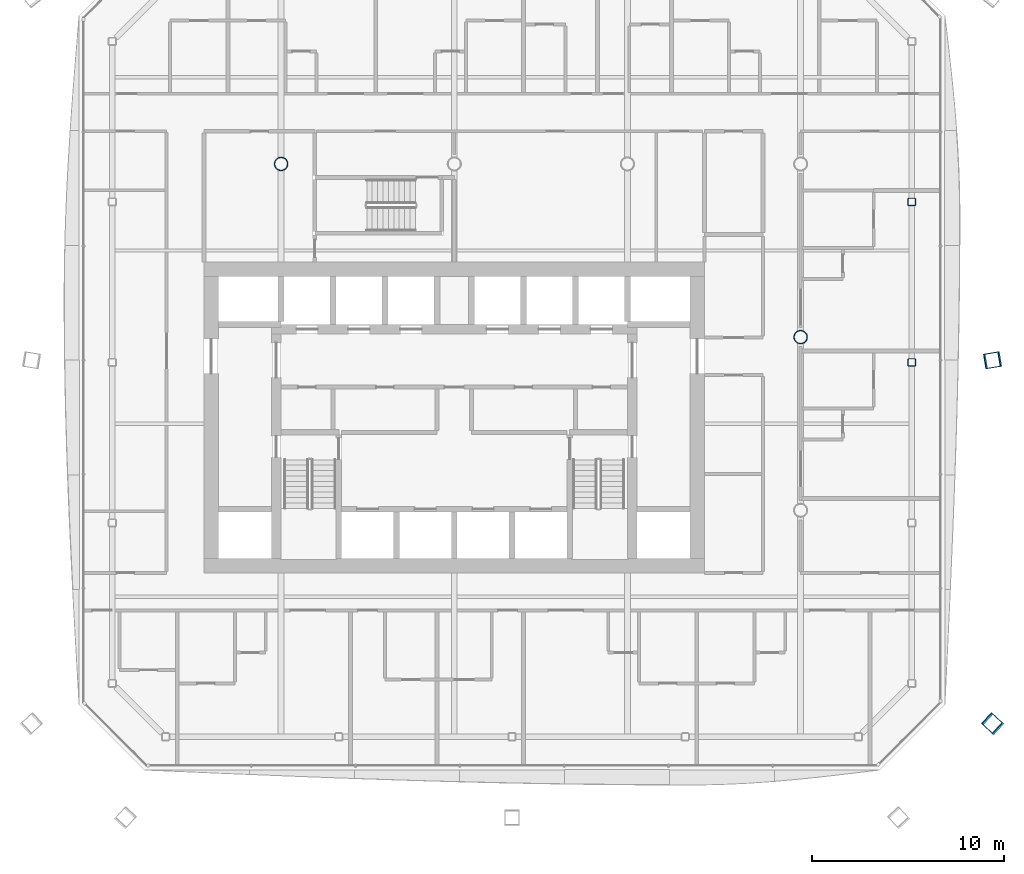
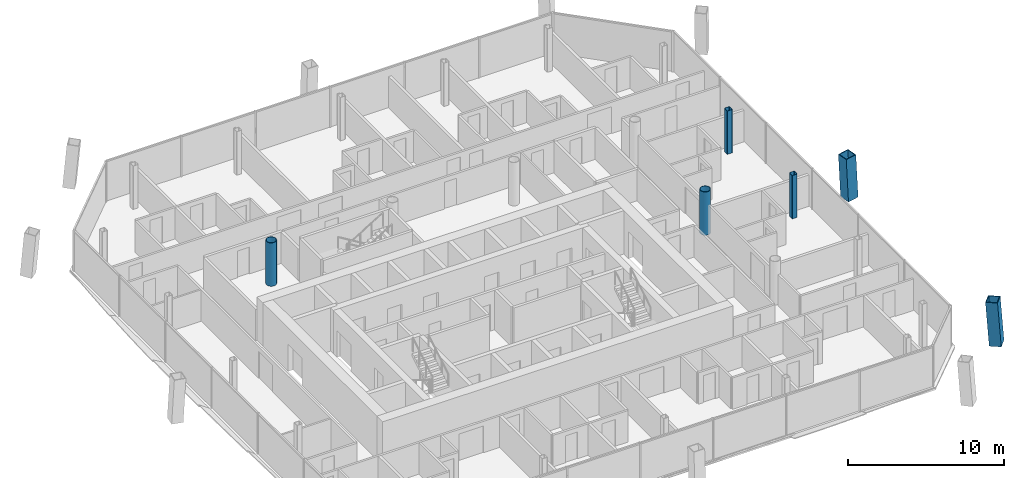
# One storey, part 2 of 21: 6 columns.
"""IFC4 building model written with IfcOpenShell, lengths in metres."""

from ifc_helpers import new_model, si_unit, direction, frame, origin, origin_2d, place, context, subcontext, project, spatial, hollow_rectangle, hollow_circle, extrude, material, material_profile, profile_set, type_object, element, save


model = new_model("IFC4")

# Units and contexts
model_context = context("Model", 3, precision=1e-05, world=origin(), true_north=direction((0.0, 1.0)))
body_context = subcontext(model_context, "Body", "Model", "MODEL_VIEW")
ifc_project = project(units=[si_unit("LENGTHUNIT", "METRE"), si_unit("AREAUNIT", "SQUARE_METRE"), si_unit("VOLUMEUNIT", "CUBIC_METRE"), si_unit("PLANEANGLEUNIT", "RADIAN"), si_unit("MASSUNIT", "GRAM", prefix="KILO")], contexts=[model_context])

# Site, building, storey
site_placement = place(None, origin())
site = spatial("IfcSite", under=ifc_project, at=site_placement, CompositionType="ELEMENT")
building_placement = place(site_placement, origin())
building = spatial("IfcBuilding", under=site, at=building_placement, Name="Tskaro Facet Tower", CompositionType="ELEMENT")
storey_placement = place(building_placement, frame((0.0, 0.0, 148.699951171875)))
storey = spatial("IfcBuildingStorey", under=building, at=storey_placement, Name="L36", CompositionType="ELEMENT", Elevation=148.699951171875)

# Columns
ifc_material_1 = material(Name="Steel S460M", Category="steel")
ifc_material_profile_1 = material_profile(ifc_material_1, hollow_rectangle(XDim=0.800048828125, YDim=0.800048828125, WallThickness=0.050048828125, at=origin_2d()), Name="BOX 800x800x50")
ifc_profile_set_1 = profile_set([ifc_material_profile_1], Name="Steel S460M")
column_type_1 = type_object("IfcColumnType", Name="BOX 800x800x50 mega column", PredefinedType="COLUMN", material=ifc_profile_set_1)
column_1_placement = place(storey_placement, frame((28.006103515625, -20.116943359375, 0.0), z_axis=(-0.053424128387, 0.048984053374, 0.997369753412), x_axis=(-0.675814105711, -0.737072109445, 0.0)))
element("IfcColumn", 1, at=column_1_placement, inside=storey, type_object=column_type_1, Name="BOX 800x800x50 MC04/3", PredefinedType="COLUMN", context=body_context, shape_type="SweptSolid", body=[
    extrude(hollow_rectangle(XDim=0.800048828125, YDim=0.800048828125, WallThickness=0.050048828125, at=origin_2d()), origin(), (0.0, 0.0, 1.0), 3.4091796875),
])
column_2_placement = place(storey_placement, frame((28.006103515625, -1.196044921875, 0.0), z_axis=(-0.05348625793, -0.008818779793, 0.998529643694), x_axis=(0.162682900473, -0.986678404493, 0.0)))
element("IfcColumn", 2, at=column_2_placement, inside=storey, type_object=column_type_1, Name="BOX 800x800x50 MC05/3", PredefinedType="COLUMN", context=body_context, shape_type="SweptSolid", body=[
    extrude(hollow_rectangle(XDim=0.800048828125, YDim=0.800048828125, WallThickness=0.050048828125, at=origin_2d()), origin(), (0.0, 0.0, 1.0), 3.4052734375),
])
ifc_material_2 = material(Name="Steel S355J2H", Category="steel")
ifc_material_profile_2 = material_profile(ifc_material_2, hollow_circle(Radius=0.35546875, WallThickness=0.031982421875, at=origin_2d()), Name="CHS 711x32")
ifc_profile_set_2 = profile_set([ifc_material_profile_2], Name="Steel S355J2H")
column_type_2 = type_object("IfcColumnType", Name="CHS 711x32 interior column", PredefinedType="COLUMN", material=ifc_profile_set_2)
for number, where, z_axis, x_axis, name in (
    (3, (-9.0, 9.0, 0.0), (0.0, 0.0, 1.0), (1.0, 0.0, 0.0), "CHS 711x32 C3E/3"),
    (4, (18.0, 0.0, 0.0), (0.0, 0.0, 1.0), (1.0, 0.0, 0.0), "CHS 711x32 C6D/3"),
):
    element("IfcColumn", number, at=place(storey_placement, frame(where, z_axis=z_axis, x_axis=x_axis)), inside=storey, type_object=column_type_2, Name=name, PredefinedType="COLUMN", context=body_context, shape_type="SweptSolid", body=[
        extrude(hollow_circle(Radius=0.35546875, WallThickness=0.031982421875, at=origin_2d()), origin(), (0.0, 0.0, 1.0), 3.400146484375),
    ])
ifc_material_profile_3 = material_profile(ifc_material_2, hollow_rectangle(XDim=0.39990234375, YDim=0.39990234375, WallThickness=0.02001953125, InnerFilletRadius=0.030029296875, OuterFilletRadius=0.050048828125, at=origin_2d()), Name="SHS 400x400x20")
ifc_profile_set_3 = profile_set([ifc_material_profile_3], Name="Steel S355J2H")
column_type_3 = type_object("IfcColumnType", Name="SHS 400x400x20 ring column", PredefinedType="COLUMN", material=ifc_profile_set_3)
for number, where, z_axis, x_axis, name in (
    (5, (23.77392578125, -1.31591796875, 0.0), (0.0, 0.0, 1.0), (1.0, 0.0, 0.0), "SHS 400x400x20 RE-3/3"),
    (6, (23.77392578125, 7.02587890625, 0.0), (0.0, 0.0, 1.0), (1.0, 0.0, 0.0), "SHS 400x400x20 RE-4/3"),
):
    element("IfcColumn", number, at=place(storey_placement, frame(where, z_axis=z_axis, x_axis=x_axis)), inside=storey, type_object=column_type_3, Name=name, PredefinedType="COLUMN", context=body_context, shape_type="SweptSolid", body=[
        extrude(hollow_rectangle(XDim=0.39990234375, YDim=0.39990234375, WallThickness=0.02001953125, InnerFilletRadius=0.030029296875, OuterFilletRadius=0.050048828125, at=origin_2d()), origin(), (0.0, 0.0, 1.0), 3.400146484375),
    ])

save(model, "model.ifc")
